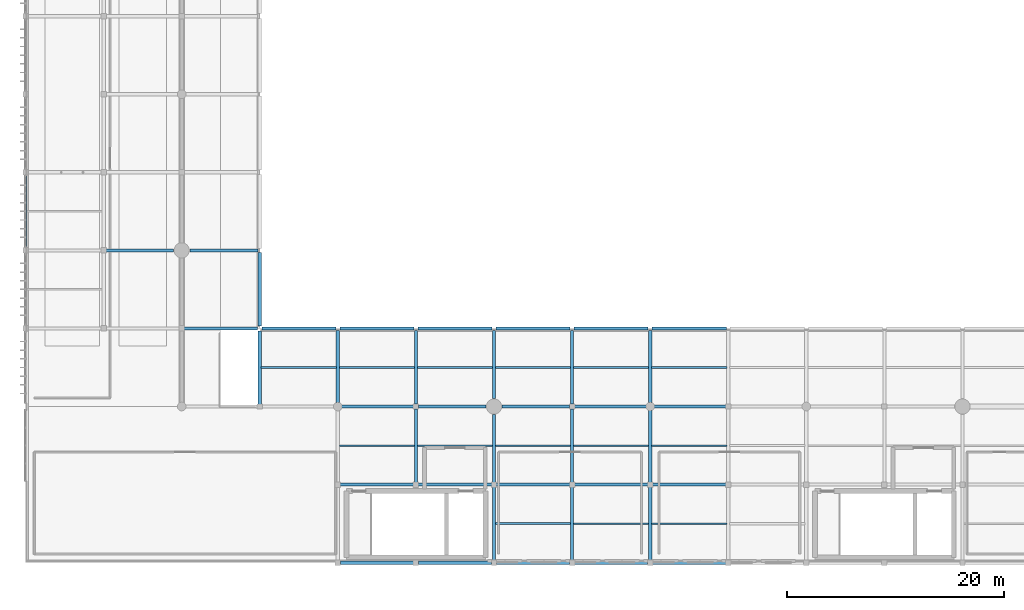
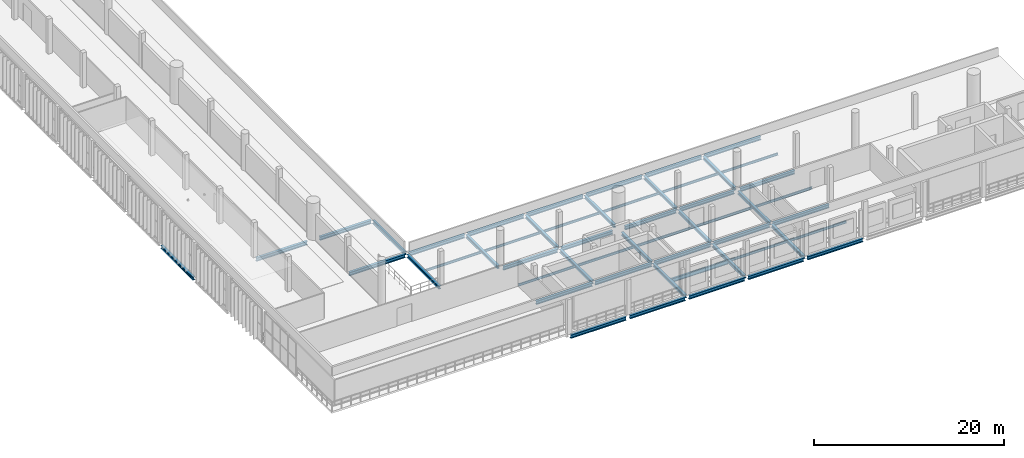
# One storey, part 7 of 64: 53 beams.
"""IFC4 building model written with IfcOpenShell, lengths in metres."""

from ifc_helpers import new_model, si_unit, direction, frame, origin, origin_2d, place, context, subcontext, project, spatial, i_section, extrude, material, material_profile, profile_set, type_object, element, save


model = new_model("IFC4")

# Units and contexts
model_context = context("Model", 3, precision=1e-05, world=origin(), true_north=direction((0.0, 1.0)))
body_context = subcontext(model_context, "Body", "Model", "MODEL_VIEW")
ifc_project = project(units=[si_unit("LENGTHUNIT", "METRE"), si_unit("AREAUNIT", "SQUARE_METRE"), si_unit("VOLUMEUNIT", "CUBIC_METRE"), si_unit("PLANEANGLEUNIT", "RADIAN"), si_unit("MASSUNIT", "GRAM", prefix="KILO")], contexts=[model_context])

# Site, building, storey
site_placement = place(None, origin())
site = spatial("IfcSite", under=ifc_project, at=site_placement, CompositionType="ELEMENT")
building_placement = place(site_placement, origin())
building = spatial("IfcBuilding", under=site, at=building_placement, Name="Qandorah Velis Arena", CompositionType="ELEMENT")
storey_placement = place(building_placement, frame((0.0, 0.0, 23.0)))
storey = spatial("IfcBuildingStorey", under=building, at=storey_placement, Name="L05", CompositionType="ELEMENT", Elevation=23.0)

# Beams
ifc_material = material(Name="Steel S355", Category="steel")
ifc_material_profile_1 = material_profile(ifc_material, i_section(OverallWidth=0.300048828125, OverallDepth=0.39990234375, WebThickness=0.013427734375, FlangeThickness=0.02392578125, FilletRadius=0.027099609375, at=origin_2d()), Name="HEB 400")
ifc_profile_set_1 = profile_set([ifc_material_profile_1], Name="Steel S355")
beam_type_1 = type_object("IfcBeamType", Name="STR-BM-HEB400", PredefinedType="BEAM", material=ifc_profile_set_1)
for number, where, z_axis, x_axis, name in (
    (1, (0.0, 28.978515625, -0.449951171875), (0.0, 1.0, 0.0), (-1.0, 0.0, 0.0), "Primary floor girder L05 Y-115"),
    (2, (21.60009765625, 14.57861328125, -0.449951171875), (0.0, 1.0, 0.0), (-1.0, 0.0, 0.0), "Primary floor girder L05 Y-138"),
):
    element("IfcBeam", number, at=place(storey_placement, frame(where, z_axis=z_axis, x_axis=x_axis)), inside=storey, type_object=beam_type_1, Name=name, PredefinedType="BEAM", context=body_context, shape_type="SweptSolid", body=[
        extrude(i_section(OverallWidth=0.300048828125, OverallDepth=0.39990234375, WebThickness=0.013427734375, FlangeThickness=0.02392578125, FilletRadius=0.027099609375, at=origin_2d()), origin(), (0.0, 0.0, 1.0), 6.79638671875),
    ])
beam_1_placement = place(storey_placement, frame((21.60009765625, 21.824951171875, -0.449951171875), z_axis=(0.0, 1.0, 0.0), x_axis=(-1.0, 0.0, 0.0)))
element("IfcBeam", 3, at=beam_1_placement, inside=storey, type_object=beam_type_1, Name="Primary floor girder L05 Y-139", PredefinedType="BEAM", context=body_context, shape_type="SweptSolid", body=[
    extrude(i_section(OverallWidth=0.300048828125, OverallDepth=0.39990234375, WebThickness=0.013427734375, FlangeThickness=0.02392578125, FilletRadius=0.027099609375, at=origin_2d()), origin(), (0.0, 0.0, 1.0), 6.796630859375),
])
beam_2_placement = place(storey_placement, frame((28.800048828125, 14.75, -0.449951171875), z_axis=(0.0, 1.0, 0.0), x_axis=(-1.0, 0.0, 0.0)))
element("IfcBeam", 4, at=beam_2_placement, inside=storey, type_object=beam_type_1, Name="Primary floor girder L05 Y-154", PredefinedType="BEAM", context=body_context, shape_type="SweptSolid", body=[
    extrude(i_section(OverallWidth=0.300048828125, OverallDepth=0.39990234375, WebThickness=0.013427734375, FlangeThickness=0.02392578125, FilletRadius=0.027099609375, at=origin_2d()), origin(), (0.0, 0.0, 1.0), 6.67138671875),
])
beam_3_placement = place(storey_placement, frame((36.0, 7.37841796875, -0.449951171875), z_axis=(0.0, 1.0, 0.0), x_axis=(-1.0, 0.0, 0.0)))
element("IfcBeam", 5, at=beam_3_placement, inside=storey, type_object=beam_type_1, Name="Primary floor girder L05 Y-158", PredefinedType="BEAM", context=body_context, shape_type="SweptSolid", body=[
    extrude(i_section(OverallWidth=0.300048828125, OverallDepth=0.39990234375, WebThickness=0.013427734375, FlangeThickness=0.02392578125, FilletRadius=0.027099609375, at=origin_2d()), origin(), (0.0, 0.0, 1.0), 6.796630859375),
])
for number, where, z_axis, x_axis, name in (
    (6, (36.0, 14.625, -0.449951171875), (0.0, 1.0, 0.0), (-1.0, 0.0, 0.0), "Primary floor girder L05 Y-159"),
    (7, (43.199951171875, 0.22509765625, -0.449951171875), (0.0, 1.0, 0.0), (-1.0, 0.0, 0.0), "Primary floor girder L05 Y-162"),
):
    element("IfcBeam", number, at=place(storey_placement, frame(where, z_axis=z_axis, x_axis=x_axis)), inside=storey, type_object=beam_type_1, Name=name, PredefinedType="BEAM", context=body_context, shape_type="SweptSolid", body=[
        extrude(i_section(OverallWidth=0.300048828125, OverallDepth=0.39990234375, WebThickness=0.013427734375, FlangeThickness=0.02392578125, FilletRadius=0.027099609375, at=origin_2d()), origin(), (0.0, 0.0, 1.0), 6.79638671875),
    ])
for number, where, z_axis, x_axis, name in (
    (8, (43.199951171875, 7.37841796875, -0.449951171875), (0.0, 1.0, 0.0), (-1.0, 0.0, 0.0), "Primary floor girder L05 Y-163"),
    (9, (43.199951171875, 15.14990234375, -0.449951171875), (0.0, 1.0, 0.0), (-1.0, 0.0, 0.0), "Primary floor girder L05 Y-164"),
):
    element("IfcBeam", number, at=place(storey_placement, frame(where, z_axis=z_axis, x_axis=x_axis)), inside=storey, type_object=beam_type_1, Name=name, PredefinedType="BEAM", context=body_context, shape_type="SweptSolid", body=[
        extrude(i_section(OverallWidth=0.300048828125, OverallDepth=0.39990234375, WebThickness=0.013427734375, FlangeThickness=0.02392578125, FilletRadius=0.027099609375, at=origin_2d()), origin(), (0.0, 0.0, 1.0), 6.271484375),
    ])
beam_4_placement = place(storey_placement, frame((50.39990234375, 0.22509765625, -0.449951171875), z_axis=(0.0, 1.0, 0.0), x_axis=(-1.0, 0.0, 0.0)))
element("IfcBeam", 10, at=beam_4_placement, inside=storey, type_object=beam_type_1, Name="Primary floor girder L05 Y-168", PredefinedType="BEAM", context=body_context, shape_type="SweptSolid", body=[
    extrude(i_section(OverallWidth=0.300048828125, OverallDepth=0.39990234375, WebThickness=0.013427734375, FlangeThickness=0.02392578125, FilletRadius=0.027099609375, at=origin_2d()), origin(), (0.0, 0.0, 1.0), 6.79638671875),
])
beam_5_placement = place(storey_placement, frame((50.39990234375, 7.37841796875, -0.449951171875), z_axis=(0.0, 1.0, 0.0), x_axis=(-1.0, 0.0, 0.0)))
element("IfcBeam", 11, at=beam_5_placement, inside=storey, type_object=beam_type_1, Name="Primary floor girder L05 Y-169", PredefinedType="BEAM", context=body_context, shape_type="SweptSolid", body=[
    extrude(i_section(OverallWidth=0.300048828125, OverallDepth=0.39990234375, WebThickness=0.013427734375, FlangeThickness=0.02392578125, FilletRadius=0.027099609375, at=origin_2d()), origin(), (0.0, 0.0, 1.0), 6.796630859375),
])
for number, where, z_axis, x_axis, name in (
    (12, (50.39990234375, 14.625, -0.449951171875), (0.0, 1.0, 0.0), (-1.0, 0.0, 0.0), "Primary floor girder L05 Y-170"),
    (13, (57.60009765625, 0.22509765625, -0.449951171875), (0.0, 1.0, 0.0), (-1.0, 0.0, 0.0), "Primary floor girder L05 Y-174"),
):
    element("IfcBeam", number, at=place(storey_placement, frame(where, z_axis=z_axis, x_axis=x_axis)), inside=storey, type_object=beam_type_1, Name=name, PredefinedType="BEAM", context=body_context, shape_type="SweptSolid", body=[
        extrude(i_section(OverallWidth=0.300048828125, OverallDepth=0.39990234375, WebThickness=0.013427734375, FlangeThickness=0.02392578125, FilletRadius=0.027099609375, at=origin_2d()), origin(), (0.0, 0.0, 1.0), 6.79638671875),
    ])
beam_6_placement = place(storey_placement, frame((57.60009765625, 7.37841796875, -0.449951171875), z_axis=(0.0, 1.0, 0.0), x_axis=(-1.0, 0.0, 0.0)))
element("IfcBeam", 14, at=beam_6_placement, inside=storey, type_object=beam_type_1, Name="Primary floor girder L05 Y-175", PredefinedType="BEAM", context=body_context, shape_type="SweptSolid", body=[
    extrude(i_section(OverallWidth=0.300048828125, OverallDepth=0.39990234375, WebThickness=0.013427734375, FlangeThickness=0.02392578125, FilletRadius=0.027099609375, at=origin_2d()), origin(), (0.0, 0.0, 1.0), 6.671630859375),
])
beam_7_placement = place(storey_placement, frame((57.60009765625, 14.75, -0.449951171875), z_axis=(0.0, 1.0, 0.0), x_axis=(-1.0, 0.0, 0.0)))
element("IfcBeam", 15, at=beam_7_placement, inside=storey, type_object=beam_type_1, Name="Primary floor girder L05 Y-176", PredefinedType="BEAM", context=body_context, shape_type="SweptSolid", body=[
    extrude(i_section(OverallWidth=0.300048828125, OverallDepth=0.39990234375, WebThickness=0.013427734375, FlangeThickness=0.02392578125, FilletRadius=0.027099609375, at=origin_2d()), origin(), (0.0, 0.0, 1.0), 6.67138671875),
])
ifc_material_profile_2 = material_profile(ifc_material, i_section(OverallWidth=0.300048828125, OverallDepth=0.449951171875, WebThickness=0.013916015625, FlangeThickness=0.02587890625, FilletRadius=0.027099609375, at=origin_2d()), Name="HEB 450")
ifc_profile_set_2 = profile_set([ifc_material_profile_2], Name="Steel S355")
beam_type_2 = type_object("IfcBeamType", Name="STR-BM-HEB450", PredefinedType="BEAM", material=ifc_profile_set_2)
for number, where, z_axis, x_axis, name in (
    (16, (29.02490234375, 0.0, -0.47509765625), (1.0, 0.0, 0.0), (0.0, 1.0, 0.0), "Primary floor girder L05 X-001"),
    (17, (36.22509765625, 0.0, -0.47509765625), (1.0, 0.0, 0.0), (0.0, 1.0, 0.0), "Primary floor girder L05 X-002"),
    (18, (43.425048828125, 0.0, -0.47509765625), (1.0, 0.0, 0.0), (0.0, 1.0, 0.0), "Primary floor girder L05 X-003"),
    (19, (50.625, 0.0, -0.47509765625), (1.0, 0.0, 0.0), (0.0, 1.0, 0.0), "Primary floor girder L05 X-004"),
    (20, (57.824951171875, 0.0, -0.47509765625), (1.0, 0.0, 0.0), (0.0, 1.0, 0.0), "Primary floor girder L05 X-005"),
):
    element("IfcBeam", number, at=place(storey_placement, frame(where, z_axis=z_axis, x_axis=x_axis)), inside=storey, type_object=beam_type_2, Name=name, PredefinedType="BEAM", context=body_context, shape_type="SweptSolid", body=[
        extrude(i_section(OverallWidth=0.300048828125, OverallDepth=0.449951171875, WebThickness=0.013916015625, FlangeThickness=0.02587890625, FilletRadius=0.027099609375, at=origin_2d()), origin(), (0.0, 0.0, 1.0), 6.75),
    ])
for number, where, z_axis, x_axis, name in (
    (21, (28.978515625, 7.199951171875, -0.47509765625), (1.0, 0.0, 0.0), (0.0, 1.0, 0.0), "Primary floor girder L05 X-010"),
    (22, (36.178466796875, 7.199951171875, -0.47509765625), (1.0, 0.0, 0.0), (0.0, 1.0, 0.0), "Primary floor girder L05 X-011"),
    (23, (43.37841796875, 7.199951171875, -0.47509765625), (1.0, 0.0, 0.0), (0.0, 1.0, 0.0), "Primary floor girder L05 X-012"),
):
    element("IfcBeam", number, at=place(storey_placement, frame(where, z_axis=z_axis, x_axis=x_axis)), inside=storey, type_object=beam_type_2, Name=name, PredefinedType="BEAM", context=body_context, shape_type="SweptSolid", body=[
        extrude(i_section(OverallWidth=0.300048828125, OverallDepth=0.449951171875, WebThickness=0.013916015625, FlangeThickness=0.02587890625, FilletRadius=0.027099609375, at=origin_2d()), origin(), (0.0, 0.0, 1.0), 6.843017578125),
    ])
beam_8_placement = place(storey_placement, frame((50.57861328125, 7.199951171875, -0.47509765625), z_axis=(1.0, 0.0, 0.0), x_axis=(0.0, 1.0, 0.0)))
element("IfcBeam", 24, at=beam_8_placement, inside=storey, type_object=beam_type_2, Name="Primary floor girder L05 X-013", PredefinedType="BEAM", context=body_context, shape_type="SweptSolid", body=[
    extrude(i_section(OverallWidth=0.300048828125, OverallDepth=0.449951171875, WebThickness=0.013916015625, FlangeThickness=0.02587890625, FilletRadius=0.027099609375, at=origin_2d()), origin(), (0.0, 0.0, 1.0), 6.8427734375),
])
beam_9_placement = place(storey_placement, frame((57.778564453125, 7.199951171875, -0.47509765625), z_axis=(1.0, 0.0, 0.0), x_axis=(0.0, 1.0, 0.0)))
element("IfcBeam", 25, at=beam_9_placement, inside=storey, type_object=beam_type_2, Name="Primary floor girder L05 X-014", PredefinedType="BEAM", context=body_context, shape_type="SweptSolid", body=[
    extrude(i_section(OverallWidth=0.300048828125, OverallDepth=0.449951171875, WebThickness=0.013916015625, FlangeThickness=0.02587890625, FilletRadius=0.027099609375, at=origin_2d()), origin(), (0.0, 0.0, 1.0), 6.843017578125),
])
beam_10_placement = place(storey_placement, frame((29.14990234375, 14.39990234375, -0.47509765625), z_axis=(1.0, 0.0, 0.0), x_axis=(0.0, 1.0, 0.0)))
element("IfcBeam", 26, at=beam_10_placement, inside=storey, type_object=beam_type_2, Name="Primary floor girder L05 X-021", PredefinedType="BEAM", context=body_context, shape_type="SweptSolid", body=[
    extrude(i_section(OverallWidth=0.300048828125, OverallDepth=0.449951171875, WebThickness=0.013916015625, FlangeThickness=0.02587890625, FilletRadius=0.027099609375, at=origin_2d()), origin(), (0.0, 0.0, 1.0), 6.625),
])
beam_11_placement = place(storey_placement, frame((36.22509765625, 14.39990234375, -0.47509765625), z_axis=(1.0, 0.0, 0.0), x_axis=(0.0, 1.0, 0.0)))
element("IfcBeam", 27, at=beam_11_placement, inside=storey, type_object=beam_type_2, Name="Primary floor girder L05 X-022", PredefinedType="BEAM", context=body_context, shape_type="SweptSolid", body=[
    extrude(i_section(OverallWidth=0.300048828125, OverallDepth=0.449951171875, WebThickness=0.013916015625, FlangeThickness=0.02587890625, FilletRadius=0.027099609375, at=origin_2d()), origin(), (0.0, 0.0, 1.0), 6.224853515625),
])
beam_12_placement = place(storey_placement, frame((43.949951171875, 14.39990234375, -0.47509765625), z_axis=(1.0, 0.0, 0.0), x_axis=(0.0, 1.0, 0.0)))
element("IfcBeam", 28, at=beam_12_placement, inside=storey, type_object=beam_type_2, Name="Primary floor girder L05 X-023", PredefinedType="BEAM", context=body_context, shape_type="SweptSolid", body=[
    extrude(i_section(OverallWidth=0.300048828125, OverallDepth=0.449951171875, WebThickness=0.013916015625, FlangeThickness=0.02587890625, FilletRadius=0.027099609375, at=origin_2d()), origin(), (0.0, 0.0, 1.0), 6.22509765625),
])
for number, where, z_axis, x_axis, name in (
    (29, (50.625, 14.39990234375, -0.47509765625), (1.0, 0.0, 0.0), (0.0, 1.0, 0.0), "Primary floor girder L05 X-024"),
    (30, (57.949951171875, 14.39990234375, -0.47509765625), (1.0, 0.0, 0.0), (0.0, 1.0, 0.0), "Primary floor girder L05 X-025"),
):
    element("IfcBeam", number, at=place(storey_placement, frame(where, z_axis=z_axis, x_axis=x_axis)), inside=storey, type_object=beam_type_2, Name=name, PredefinedType="BEAM", context=body_context, shape_type="SweptSolid", body=[
        extrude(i_section(OverallWidth=0.300048828125, OverallDepth=0.449951171875, WebThickness=0.013916015625, FlangeThickness=0.02587890625, FilletRadius=0.027099609375, at=origin_2d()), origin(), (0.0, 0.0, 1.0), 6.625),
    ])
beam_13_placement = place(storey_placement, frame((14.57861328125, 21.60009765625, -0.47509765625), z_axis=(1.0, 0.0, 0.0), x_axis=(0.0, 1.0, 0.0)))
element("IfcBeam", 31, at=beam_13_placement, inside=storey, type_object=beam_type_2, Name="Primary floor girder L05 X-031", PredefinedType="BEAM", context=body_context, shape_type="SweptSolid", body=[
    extrude(i_section(OverallWidth=0.300048828125, OverallDepth=0.449951171875, WebThickness=0.013916015625, FlangeThickness=0.02587890625, FilletRadius=0.027099609375, at=origin_2d()), origin(), (0.0, 0.0, 1.0), 6.79638671875),
])
beam_14_placement = place(storey_placement, frame((21.824951171875, 21.60009765625, -0.47509765625), z_axis=(1.0, 0.0, 0.0), x_axis=(0.0, 1.0, 0.0)))
element("IfcBeam", 32, at=beam_14_placement, inside=storey, type_object=beam_type_2, Name="Primary floor girder L05 X-032", PredefinedType="BEAM", context=body_context, shape_type="SweptSolid", body=[
    extrude(i_section(OverallWidth=0.300048828125, OverallDepth=0.449951171875, WebThickness=0.013916015625, FlangeThickness=0.02587890625, FilletRadius=0.027099609375, at=origin_2d()), origin(), (0.0, 0.0, 1.0), 6.796630859375),
])
for number, where, z_axis, x_axis, name in (
    (33, (28.978515625, 21.60009765625, -0.47509765625), (1.0, 0.0, 0.0), (0.0, 1.0, 0.0), "Primary floor girder L05 X-033"),
    (34, (36.178466796875, 21.60009765625, -0.47509765625), (1.0, 0.0, 0.0), (0.0, 1.0, 0.0), "Primary floor girder L05 X-034"),
    (35, (43.37841796875, 21.60009765625, -0.47509765625), (1.0, 0.0, 0.0), (0.0, 1.0, 0.0), "Primary floor girder L05 X-035"),
):
    element("IfcBeam", number, at=place(storey_placement, frame(where, z_axis=z_axis, x_axis=x_axis)), inside=storey, type_object=beam_type_2, Name=name, PredefinedType="BEAM", context=body_context, shape_type="SweptSolid", body=[
        extrude(i_section(OverallWidth=0.300048828125, OverallDepth=0.449951171875, WebThickness=0.013916015625, FlangeThickness=0.02587890625, FilletRadius=0.027099609375, at=origin_2d()), origin(), (0.0, 0.0, 1.0), 6.843017578125),
    ])
beam_15_placement = place(storey_placement, frame((50.57861328125, 21.60009765625, -0.47509765625), z_axis=(1.0, 0.0, 0.0), x_axis=(0.0, 1.0, 0.0)))
element("IfcBeam", 36, at=beam_15_placement, inside=storey, type_object=beam_type_2, Name="Primary floor girder L05 X-036", PredefinedType="BEAM", context=body_context, shape_type="SweptSolid", body=[
    extrude(i_section(OverallWidth=0.300048828125, OverallDepth=0.449951171875, WebThickness=0.013916015625, FlangeThickness=0.02587890625, FilletRadius=0.027099609375, at=origin_2d()), origin(), (0.0, 0.0, 1.0), 6.8427734375),
])
beam_16_placement = place(storey_placement, frame((57.778564453125, 21.60009765625, -0.47509765625), z_axis=(1.0, 0.0, 0.0), x_axis=(0.0, 1.0, 0.0)))
element("IfcBeam", 37, at=beam_16_placement, inside=storey, type_object=beam_type_2, Name="Primary floor girder L05 X-037", PredefinedType="BEAM", context=body_context, shape_type="SweptSolid", body=[
    extrude(i_section(OverallWidth=0.300048828125, OverallDepth=0.449951171875, WebThickness=0.013916015625, FlangeThickness=0.02587890625, FilletRadius=0.027099609375, at=origin_2d()), origin(), (0.0, 0.0, 1.0), 6.843017578125),
])
beam_17_placement = place(storey_placement, frame((7.425048828125, 28.800048828125, -0.47509765625), z_axis=(1.0, 0.0, 0.0), x_axis=(0.0, 1.0, 0.0)))
element("IfcBeam", 38, at=beam_17_placement, inside=storey, type_object=beam_type_2, Name="Primary floor girder L05 X-043", PredefinedType="BEAM", context=body_context, shape_type="SweptSolid", body=[
    extrude(i_section(OverallWidth=0.300048828125, OverallDepth=0.449951171875, WebThickness=0.013916015625, FlangeThickness=0.02587890625, FilletRadius=0.027099609375, at=origin_2d()), origin(), (0.0, 0.0, 1.0), 6.224853515625),
])
beam_18_placement = place(storey_placement, frame((15.14990234375, 28.800048828125, -0.47509765625), z_axis=(1.0, 0.0, 0.0), x_axis=(0.0, 1.0, 0.0)))
element("IfcBeam", 39, at=beam_18_placement, inside=storey, type_object=beam_type_2, Name="Primary floor girder L05 X-044", PredefinedType="BEAM", context=body_context, shape_type="SweptSolid", body=[
    extrude(i_section(OverallWidth=0.300048828125, OverallDepth=0.449951171875, WebThickness=0.013916015625, FlangeThickness=0.02587890625, FilletRadius=0.027099609375, at=origin_2d()), origin(), (0.0, 0.0, 1.0), 6.271484375),
])
ifc_material_profile_3 = material_profile(ifc_material, i_section(OverallWidth=0.14990234375, OverallDepth=0.300048828125, WebThickness=0.007080078125, FlangeThickness=0.0107421875, FilletRadius=0.014892578125, at=origin_2d()), Name="IPE 300")
ifc_profile_set_3 = profile_set([ifc_material_profile_3], Name="Steel S355")
beam_type_3 = type_object("IfcBeamType", Name="STR-JST-IPE300", PredefinedType="JOIST", material=ifc_profile_set_3)
for number, where, z_axis, x_axis, name in (
    (40, (21.735107421875, 18.0, -0.39990234375), (1.0, 0.0, 0.0), (0.0, 1.0, 0.0), "Secondary floor joist L05-009"),
    (41, (28.93505859375, 10.800048828125, -0.39990234375), (1.0, 0.0, 0.0), (0.0, 1.0, 0.0), "Secondary floor joist L05-011"),
    (42, (28.93505859375, 18.0, -0.39990234375), (1.0, 0.0, 0.0), (0.0, 1.0, 0.0), "Secondary floor joist L05-012"),
    (43, (36.135009765625, 10.800048828125, -0.39990234375), (1.0, 0.0, 0.0), (0.0, 1.0, 0.0), "Secondary floor joist L05-015"),
    (44, (36.135009765625, 18.0, -0.39990234375), (1.0, 0.0, 0.0), (0.0, 1.0, 0.0), "Secondary floor joist L05-016"),
    (45, (43.3349609375, 10.800048828125, -0.39990234375), (1.0, 0.0, 0.0), (0.0, 1.0, 0.0), "Secondary floor joist L05-020"),
    (46, (43.3349609375, 18.0, -0.39990234375), (1.0, 0.0, 0.0), (0.0, 1.0, 0.0), "Secondary floor joist L05-021"),
):
    element("IfcBeam", number, at=place(storey_placement, frame(where, z_axis=z_axis, x_axis=x_axis)), inside=storey, type_object=beam_type_3, Name=name, PredefinedType="JOIST", context=body_context, shape_type="SweptSolid", body=[
        extrude(i_section(OverallWidth=0.14990234375, OverallDepth=0.300048828125, WebThickness=0.007080078125, FlangeThickness=0.0107421875, FilletRadius=0.014892578125, at=origin_2d()), origin(), (0.0, 0.0, 1.0), 6.929931640625),
    ])
for number, where, z_axis, x_axis, name in (
    (47, (50.534912109375, 3.60009765625, -0.39990234375), (1.0, 0.0, 0.0), (0.0, 1.0, 0.0), "Secondary floor joist L05-025"),
    (48, (50.534912109375, 10.800048828125, -0.39990234375), (1.0, 0.0, 0.0), (0.0, 1.0, 0.0), "Secondary floor joist L05-026"),
    (49, (50.534912109375, 18.0, -0.39990234375), (1.0, 0.0, 0.0), (0.0, 1.0, 0.0), "Secondary floor joist L05-027"),
):
    element("IfcBeam", number, at=place(storey_placement, frame(where, z_axis=z_axis, x_axis=x_axis)), inside=storey, type_object=beam_type_3, Name=name, PredefinedType="JOIST", context=body_context, shape_type="SweptSolid", body=[
        extrude(i_section(OverallWidth=0.14990234375, OverallDepth=0.300048828125, WebThickness=0.007080078125, FlangeThickness=0.0107421875, FilletRadius=0.014892578125, at=origin_2d()), origin(), (0.0, 0.0, 1.0), 6.93017578125),
    ])
for number, where, z_axis, x_axis, name in (
    (50, (57.735107421875, 3.60009765625, -0.39990234375), (1.0, 0.0, 0.0), (0.0, 1.0, 0.0), "Secondary floor joist L05-031"),
    (51, (57.735107421875, 10.800048828125, -0.39990234375), (1.0, 0.0, 0.0), (0.0, 1.0, 0.0), "Secondary floor joist L05-032"),
    (52, (57.735107421875, 18.0, -0.39990234375), (1.0, 0.0, 0.0), (0.0, 1.0, 0.0), "Secondary floor joist L05-033"),
):
    element("IfcBeam", number, at=place(storey_placement, frame(where, z_axis=z_axis, x_axis=x_axis)), inside=storey, type_object=beam_type_3, Name=name, PredefinedType="JOIST", context=body_context, shape_type="SweptSolid", body=[
        extrude(i_section(OverallWidth=0.14990234375, OverallDepth=0.300048828125, WebThickness=0.007080078125, FlangeThickness=0.0107421875, FilletRadius=0.014892578125, at=origin_2d()), origin(), (0.0, 0.0, 1.0), 6.929931640625),
    ])
ifc_material_profile_4 = material_profile(ifc_material, i_section(OverallWidth=0.199951171875, OverallDepth=0.5, WebThickness=0.01025390625, FlangeThickness=0.01611328125, FilletRadius=0.02099609375, at=origin_2d()), Name="IPE 500")
ifc_profile_set_4 = profile_set([ifc_material_profile_4], Name="Steel S355")
beam_type_4 = type_object("IfcBeamType", Name="STR-JST-IPE500", PredefinedType="JOIST", material=ifc_profile_set_4)
beam_19_placement = place(storey_placement, frame((43.3349609375, 3.60009765625, -0.5), z_axis=(1.0, 0.0, 0.0), x_axis=(0.0, 1.0, 0.0)))
element("IfcBeam", 53, at=beam_19_placement, inside=storey, type_object=beam_type_4, Name="Secondary floor joist L05-019", PredefinedType="JOIST", context=body_context, shape_type="SweptSolid", body=[
    extrude(i_section(OverallWidth=0.199951171875, OverallDepth=0.5, WebThickness=0.01025390625, FlangeThickness=0.01611328125, FilletRadius=0.02099609375, at=origin_2d()), origin(), (0.0, 0.0, 1.0), 6.929931640625),
])

save(model, "model.ifc")
